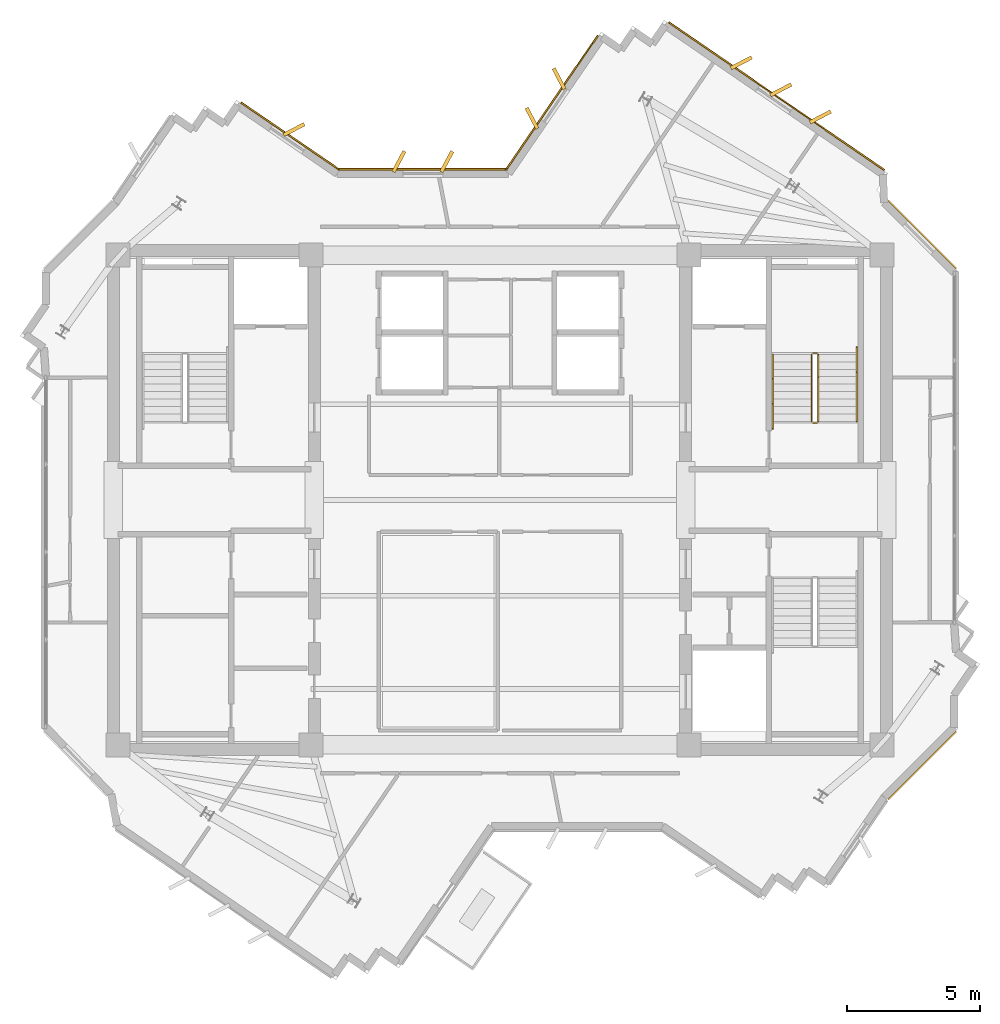
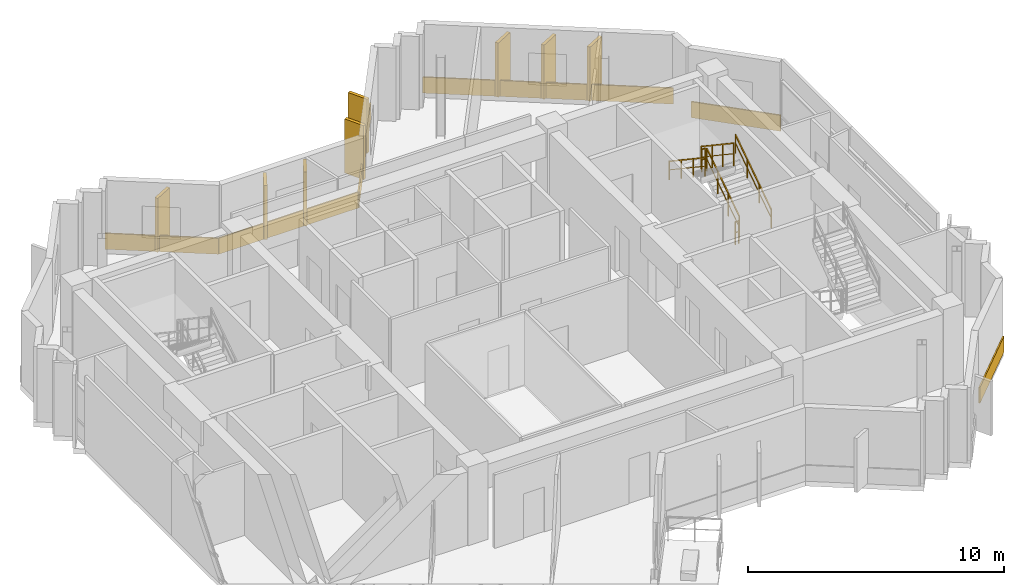
# One storey, part 11 of 11: 14 coverings, 6 railings.
"""IFC4 building model written with IfcOpenShell, lengths in metres."""

from ifc_helpers import new_model, si_unit, direction, frame, origin, origin_2d, place, context, subcontext, project, spatial, rectangle, extrude, source, transform, mapped, material, layer, layer_set, type_object, element, save


model = new_model("IFC4")

# Units and contexts
model_context = context("Model", 3, precision=1e-05, world=origin(), true_north=direction((0.0, 1.0)))
body_context = subcontext(model_context, "Body", "Model", "MODEL_VIEW")
ifc_project = project(units=[si_unit("LENGTHUNIT", "METRE"), si_unit("AREAUNIT", "SQUARE_METRE"), si_unit("VOLUMEUNIT", "CUBIC_METRE"), si_unit("PLANEANGLEUNIT", "RADIAN"), si_unit("MASSUNIT", "GRAM", prefix="KILO")], contexts=[model_context])

# Site, building, storey
site_placement = place(None, origin())
site = spatial("IfcSite", under=ifc_project, at=site_placement, CompositionType="ELEMENT")
building_placement = place(site_placement, origin())
building = spatial("IfcBuilding", under=site, at=building_placement, Name="Zahravan Cultural Tower", CompositionType="ELEMENT")
storey_placement = place(building_placement, frame((0.0, 0.0, 334.800048828125)))
storey = spatial("IfcBuildingStorey", under=building, at=storey_placement, Name="L81", CompositionType="ELEMENT", Elevation=334.800048828125)

# Railings
ifc_material_1 = material(Name="Steel ASTM A572 Grade 50", Category="steel")
railing_type_1 = type_object("IfcRailingType", Name="RL-STAIR-GRD1150", PredefinedType="BALUSTRADE", material=ifc_material_1)
railing_1_placement = place(storey_placement, frame((47.949951171875, 29.949951171875, 0.1875)))
element("IfcRailing", 1, at=railing_1_placement, inside=storey, type_object=railing_type_1, Name="L81 ST-E1 stair guard 1", PredefinedType="BALUSTRADE", context=body_context, shape_type="SweptSolid", body=[
    extrude(rectangle(XDim=0.05, YDim=0.05, at=origin_2d()), frame((0.0, 0.0, 1.0751953125), z_axis=(0.0, 0.830909170722, 0.55640807867), x_axis=(-1.0, 0.0, 0.0)), (0.0, 0.0, 1.0), 3.032958984375),
    extrude(rectangle(XDim=0.032, YDim=0.032, at=origin_2d()), frame((0.0, 0.0, 0.572021484375), z_axis=(0.0, 0.830909170722, 0.55640807867), x_axis=(-1.0, 0.0, 0.0)), (0.0, 0.0, 1.0), 3.032958984375),
    extrude(rectangle(XDim=0.04, YDim=0.04, at=origin_2d()), origin(), (0.0, 0.0, 1.0), 1.10009765625),
    extrude(rectangle(XDim=0.04, YDim=0.04, at=origin_2d()), frame((0.0, 0.840087890625, 0.5625)), (0.0, 0.0, 1.0), 1.10009765625),
    extrude(rectangle(XDim=0.04, YDim=0.04, at=origin_2d()), frame((0.0, 1.679931640625, 1.125)), (0.0, 0.0, 1.0), 1.10009765625),
    extrude(rectangle(XDim=0.04, YDim=0.04, at=origin_2d()), frame((0.0, 2.52001953125, 1.6875)), (0.0, 0.0, 1.0), 1.10009765625),
])
railing_2_placement = place(storey_placement, frame((47.89990234375, 32.52001953125, 1.875)))
element("IfcRailing", 2, at=railing_2_placement, inside=storey, type_object=railing_type_1, Name="L81 ST-E1 stair guard 2", PredefinedType="BALUSTRADE", context=body_context, shape_type="SweptSolid", body=[
    extrude(rectangle(XDim=0.05, YDim=0.05, at=origin_2d()), frame((0.0, 0.0, 1.0751953125), z_axis=(-1.0, 0.0, 0.0), x_axis=(0.0, -1.0, 0.0)), (0.0, 0.0, 1.0), 0.14990234375),
    extrude(rectangle(XDim=0.032, YDim=0.032, at=origin_2d()), frame((0.0, 0.0, 0.572021484375), z_axis=(-1.0, 0.0, 0.0), x_axis=(0.0, -1.0, 0.0)), (0.0, 0.0, 1.0), 0.14990234375),
    extrude(rectangle(XDim=0.04, YDim=0.04, at=origin_2d()), origin(), (0.0, 0.0, 1.0), 1.10009765625),
    extrude(rectangle(XDim=0.04, YDim=0.04, at=origin_2d()), frame((-0.14990234375, 0.0, 0.0)), (0.0, 0.0, 1.0), 1.10009765625),
])
railing_3_placement = place(storey_placement, frame((47.699951171875, 32.469970703125, 2.0625)))
element("IfcRailing", 3, at=railing_3_placement, inside=storey, type_object=railing_type_1, Name="L81 ST-E1 stair guard 3", PredefinedType="BALUSTRADE", context=body_context, shape_type="SweptSolid", body=[
    extrude(rectangle(XDim=0.05, YDim=0.05, at=origin_2d()), frame((0.0, 0.0, 1.0751953125), z_axis=(0.0, -0.830909170722, 0.55640807867), x_axis=(1.0, 0.0, 0.0)), (0.0, 0.0, 1.0), 3.032958984375),
    extrude(rectangle(XDim=0.032, YDim=0.032, at=origin_2d()), frame((0.0, 0.0, 0.572021484375), z_axis=(0.0, -0.830909170722, 0.55640807867), x_axis=(1.0, 0.0, 0.0)), (0.0, 0.0, 1.0), 3.032958984375),
    extrude(rectangle(XDim=0.04, YDim=0.04, at=origin_2d()), origin(), (0.0, 0.0, 1.0), 1.10009765625),
    extrude(rectangle(XDim=0.04, YDim=0.04, at=origin_2d()), frame((0.0, -0.840087890625, 0.5625)), (0.0, 0.0, 1.0), 1.10009765625),
    extrude(rectangle(XDim=0.04, YDim=0.04, at=origin_2d()), frame((0.0, -1.679931640625, 1.125)), (0.0, 0.0, 1.0), 1.10009765625),
    extrude(rectangle(XDim=0.04, YDim=0.04, at=origin_2d()), frame((0.0, -2.52001953125, 1.6875)), (0.0, 0.0, 1.0), 1.10009765625),
])
railing_4_placement = place(storey_placement, frame((47.89990234375, 29.89990234375, 0.0)))
element("IfcRailing", 4, at=railing_4_placement, inside=storey, type_object=railing_type_1, Name="L81 ST-E1 stair guard 4", PredefinedType="BALUSTRADE", context=body_context, shape_type="SweptSolid", body=[
    extrude(rectangle(XDim=0.05, YDim=0.05, at=origin_2d()), frame((0.0, 0.0, 1.0751953125), z_axis=(-1.0, 0.0, 0.0), x_axis=(0.0, -1.0, 0.0)), (0.0, 0.0, 1.0), 0.14990234375),
    extrude(rectangle(XDim=0.032, YDim=0.032, at=origin_2d()), frame((0.0, 0.0, 0.572021484375), z_axis=(-1.0, 0.0, 0.0), x_axis=(0.0, -1.0, 0.0)), (0.0, 0.0, 1.0), 0.14990234375),
    extrude(rectangle(XDim=0.04, YDim=0.04, at=origin_2d()), origin(), (0.0, 0.0, 1.0), 1.10009765625),
    extrude(rectangle(XDim=0.04, YDim=0.04, at=origin_2d()), frame((-0.14990234375, 0.0, 0.0)), (0.0, 0.0, 1.0), 1.10009765625),
])
railing_type_2 = type_object("IfcRailingType", Name="RL-STAIR-HR900", PredefinedType="HANDRAIL", material=ifc_material_1)
railing_5_placement = place(storey_placement, frame((49.39990234375, 29.949951171875, 0.1875)))
element("IfcRailing", 5, at=railing_5_placement, inside=storey, type_object=railing_type_2, Name="L81 ST-E1 stair handrail 1", PredefinedType="HANDRAIL", context=body_context, shape_type="SweptSolid", body=[
    extrude(rectangle(XDim=0.05, YDim=0.05, at=origin_2d()), frame((0.0, 0.0, 0.875), z_axis=(0.0, 0.830911662861, 0.55640435703), x_axis=(-1.0, 0.0, 0.0)), (0.0, 0.0, 1.0), 3.369873046875),
    extrude(rectangle(XDim=0.032, YDim=0.032, at=origin_2d()), frame((0.0, 0.0, 0.468017578125), z_axis=(0.0, 0.830911662861, 0.55640435703), x_axis=(-1.0, 0.0, 0.0)), (0.0, 0.0, 1.0), 3.369873046875),
    extrude(rectangle(XDim=0.04, YDim=0.04, at=origin_2d()), origin(), (0.0, 0.0, 1.0), 0.89990234375),
    extrude(rectangle(XDim=0.04, YDim=0.04, at=origin_2d()), frame((0.0, 0.933349609375, 0.625)), (0.0, 0.0, 1.0), 0.89990234375),
    extrude(rectangle(XDim=0.04, YDim=0.04, at=origin_2d()), frame((0.0, 1.86669921875, 1.25)), (0.0, 0.0, 1.0), 0.89990234375),
    extrude(rectangle(XDim=0.04, YDim=0.04, at=origin_2d()), frame((0.0, 2.800048828125, 1.875)), (0.0, 0.0, 1.0), 0.89990234375),
])
railing_6_placement = place(storey_placement, frame((46.25, 32.469970703125, 2.0625)))
element("IfcRailing", 6, at=railing_6_placement, inside=storey, type_object=railing_type_2, Name="L81 ST-E1 stair handrail 2", PredefinedType="HANDRAIL", context=body_context, shape_type="SweptSolid", body=[
    extrude(rectangle(XDim=0.05, YDim=0.05, at=origin_2d()), frame((0.0, 0.0, 0.875), z_axis=(0.0, -0.830911662861, 0.55640435703), x_axis=(1.0, 0.0, 0.0)), (0.0, 0.0, 1.0), 3.369873046875),
    extrude(rectangle(XDim=0.032, YDim=0.032, at=origin_2d()), frame((0.0, 0.0, 0.468017578125), z_axis=(0.0, -0.830911662861, 0.55640435703), x_axis=(1.0, 0.0, 0.0)), (0.0, 0.0, 1.0), 3.369873046875),
    extrude(rectangle(XDim=0.04, YDim=0.04, at=origin_2d()), origin(), (0.0, 0.0, 1.0), 0.89990234375),
    extrude(rectangle(XDim=0.04, YDim=0.04, at=origin_2d()), frame((0.0, -0.933349609375, 0.625)), (0.0, 0.0, 1.0), 0.89990234375),
    extrude(rectangle(XDim=0.04, YDim=0.04, at=origin_2d()), frame((0.0, -1.86669921875, 1.25)), (0.0, 0.0, 1.0), 0.89990234375),
    extrude(rectangle(XDim=0.04, YDim=0.04, at=origin_2d()), frame((0.0, -2.800048828125, 1.875)), (0.0, 0.0, 1.0), 0.89990234375),
])

# Coverings
ifc_material_2 = material(Name="Terracotta ceramic cladding", Category="masonry")
ifc_layer = layer(ifc_material_2, 0.06005859375)
ifc_layer_set = layer_set([ifc_layer], Name="Terracotta ceramic cladding")
covering_type = type_object("IfcCoveringType", Name="COV-CLAD-TC60", PredefinedType="CLADDING", material=ifc_layer_set)
shared_shape_1 = source(origin(), body_context, "Body", "SweptSolid", [
    extrude(rectangle(XDim=9.820068359375, YDim=0.06005859375, at=origin_2d()), origin(), (0.0, 0.0, 1.0), 0.760009765625),
])
covering_1_placement = place(storey_placement, frame((46.386962890625, 42.169677734375, 0.02001953125), z_axis=(0.0, 0.0, 1.0), x_axis=(0.825123358687, -0.564952602392, 0.0)))
element("IfcCovering", 7, at=covering_1_placement, inside=storey, type_object=covering_type, Name="L81 Terracotta Spandrel Cladding 19", PredefinedType="CLADDING", context=body_context, shape_type="MappedRepresentation", body=[
    mapped(shared_shape_1, transform((0.0, 0.0, 0.0), x_axis=(1.0, 0.0, 0.0), y_axis=(0.0, 1.0, 0.0), z_axis=(0.0, 0.0, 1.0), scale=1.0)),
])
shared_shape_2 = source(origin(), body_context, "Body", "SweptSolid", [
    extrude(rectangle(XDim=0.8798828125, YDim=0.139892578125, at=origin_2d()), origin(), (0.0, 0.0, 1.0), 2.580078125),
])
for number, where, z_axis, x_axis, name in (
    (8, (28.26171875, 40.91552734375, 0.0498046875), (0.0, 0.0, 1.0), (0.886203579231, 0.46329603512, 0.0), "L81 Herringbone Terracotta Fin 02"),
    (9, (32.202880859375, 39.7099609375, 0.0498046875), (0.0, 0.0, 1.0), (0.469471562786, 0.882947592859, 0.0), "L81 Herringbone Terracotta Fin 03"),
    (10, (34.0029296875, 39.7099609375, 0.0498046875), (0.0, 0.0, 1.0), (0.469471562786, 0.882947592859, 0.0), "L81 Herringbone Terracotta Fin 04"),
    (11, (37.20068359375, 41.33837890625, 0.0498046875), (0.0, 0.0, 1.0), (-0.46329603512, 0.886203579231, 0.0), "L81 Herringbone Terracotta Fin 05"),
    (12, (38.2177734375, 42.823486328125, 0.0498046875), (0.0, 0.0, 1.0), (-0.46329603512, 0.886203579231, 0.0), "L81 Herringbone Terracotta Fin 06"),
    (13, (45.062744140625, 43.421875, 0.0498046875), (0.0, 0.0, 1.0), (0.886195493055, 0.46331150222, 0.0), "L81 Herringbone Terracotta Fin 07"),
    (14, (46.5478515625, 42.40478515625, 0.0498046875), (0.0, 0.0, 1.0), (0.886195493055, 0.46331150222, 0.0), "L81 Herringbone Terracotta Fin 08"),
    (15, (48.033203125, 41.387939453125, 0.0498046875), (0.0, 0.0, 1.0), (0.886195493055, 0.46331150222, 0.0), "L81 Herringbone Terracotta Fin 09"),
):
    element("IfcCovering", number, at=place(storey_placement, frame(where, z_axis=z_axis, x_axis=x_axis)), inside=storey, type_object=covering_type, Name=name, PredefinedType="CLADDING", context=body_context, shape_type="MappedRepresentation", body=[
        mapped(shared_shape_2, transform((0.0, 0.0, 0.0), x_axis=(1.0, 0.0, 0.0), y_axis=(0.0, 1.0, 0.0), z_axis=(0.0, 0.0, 1.0), scale=1.0)),
    ])
shared_shape_3 = source(origin(), body_context, "Body", "SweptSolid", [
    extrude(rectangle(XDim=3.609619140625, YDim=0.06005859375, at=origin_2d()), origin(), (0.0, 0.0, 1.0), 0.760009765625),
])
covering_2_placement = place(storey_placement, frame((51.865234375, 17.02978515625, 0.02001953125), z_axis=(0.0, 0.0, 1.0), x_axis=(-0.707106781187, -0.707106781187, 0.0)))
element("IfcCovering", 16, at=covering_2_placement, inside=storey, type_object=covering_type, Name="L81 Terracotta Spandrel Cladding 26", PredefinedType="CLADDING", context=body_context, shape_type="MappedRepresentation", body=[
    mapped(shared_shape_3, transform((0.0, 0.0, 0.0), x_axis=(1.0, 0.0, 0.0), y_axis=(0.0, 1.0, 0.0), z_axis=(0.0, 0.0, 1.0), scale=1.0)),
])
shared_shape_4 = source(origin(), body_context, "Body", "SweptSolid", [
    extrude(rectangle(XDim=4.4462890625, YDim=0.06005859375, at=origin_2d()), origin(), (0.0, 0.0, 1.0), 0.760009765625),
])
covering_3_placement = place(storey_placement, frame((28.1005859375, 40.680419921875, 0.02001953125), z_axis=(0.0, 0.0, 1.0), x_axis=(0.825113498278, -0.564967003425, 0.0)))
element("IfcCovering", 17, at=covering_3_placement, inside=storey, type_object=covering_type, Name="L81 Terracotta Spandrel Cladding 12", PredefinedType="CLADDING", context=body_context, shape_type="MappedRepresentation", body=[
    mapped(shared_shape_4, transform((0.0, 0.0, 0.0), x_axis=(1.0, 0.0, 0.0), y_axis=(0.0, 1.0, 0.0), z_axis=(0.0, 0.0, 1.0), scale=1.0)),
])
shared_shape_5 = source(origin(), body_context, "Body", "SweptSolid", [
    extrude(rectangle(XDim=6.340087890625, YDim=0.06005859375, at=origin_2d()), origin(), (0.0, 0.0, 1.0), 0.760009765625),
])
covering_4_placement = place(storey_placement, frame((33.10302734375, 39.425048828125, 0.02001953125), z_axis=(0.0, 0.0, 1.0), x_axis=(1.0, 0.0, 0.0)))
element("IfcCovering", 18, at=covering_4_placement, inside=storey, type_object=covering_type, Name="L81 Terracotta Spandrel Cladding 13", PredefinedType="CLADDING", context=body_context, shape_type="MappedRepresentation", body=[
    mapped(shared_shape_5, transform((0.0, 0.0, 0.0), x_axis=(1.0, 0.0, 0.0), y_axis=(0.0, 1.0, 0.0), z_axis=(0.0, 0.0, 1.0), scale=1.0)),
])
shared_shape_6 = source(origin(), body_context, "Body", "SweptSolid", [
    extrude(rectangle(XDim=6.12158203125, YDim=0.06005859375, at=origin_2d()), origin(), (0.0, 0.0, 1.0), 0.760009765625),
])
covering_5_placement = place(storey_placement, frame((37.9443359375, 41.919921875, 0.02001953125), z_axis=(0.0, 0.0, 1.0), x_axis=(0.564967003425, 0.825113498278, 0.0)))
element("IfcCovering", 19, at=covering_5_placement, inside=storey, type_object=covering_type, Name="L81 Terracotta Spandrel Cladding 14", PredefinedType="CLADDING", context=body_context, shape_type="MappedRepresentation", body=[
    mapped(shared_shape_6, transform((0.0, 0.0, 0.0), x_axis=(1.0, 0.0, 0.0), y_axis=(0.0, 1.0, 0.0), z_axis=(0.0, 0.0, 1.0), scale=1.0)),
])
shared_shape_7 = source(origin(), body_context, "Body", "SweptSolid", [
    extrude(rectangle(XDim=3.615966796875, YDim=0.06005859375, at=origin_2d()), origin(), (0.0, 0.0, 1.0), 0.760009765625),
])
covering_6_placement = place(storey_placement, frame((51.86279296875, 36.972412109375, 0.02001953125), z_axis=(0.0, 0.0, 1.0), x_axis=(0.707106781187, -0.707106781187, 0.0)))
element("IfcCovering", 20, at=covering_6_placement, inside=storey, type_object=covering_type, Name="L81 Terracotta Spandrel Cladding 21", PredefinedType="CLADDING", context=body_context, shape_type="MappedRepresentation", body=[
    mapped(shared_shape_7, transform((0.0, 0.0, 0.0), x_axis=(1.0, 0.0, 0.0), y_axis=(0.0, 1.0, 0.0), z_axis=(0.0, 0.0, 1.0), scale=1.0)),
])

save(model, "model.ifc")
